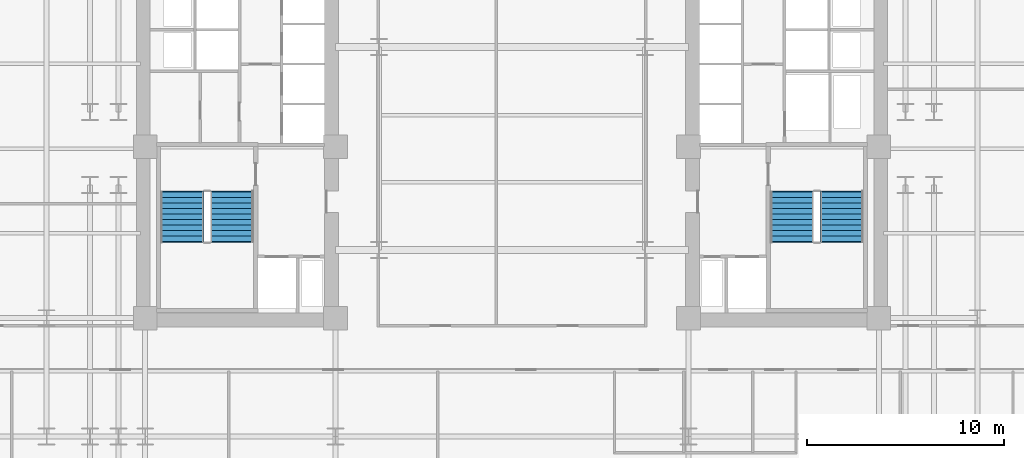
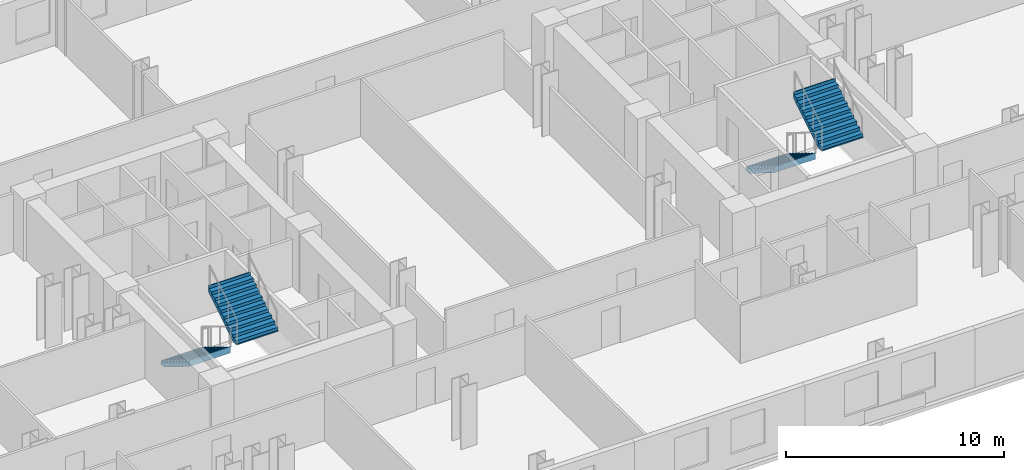
# One storey, part 8 of 10: 4 stair flights, 2 elements without a shape of their own.
"""IFC4 building model written with IfcOpenShell, lengths in metres."""

from ifc_helpers import new_model, si_unit, direction, frame, origin, place, context, subcontext, project, spatial, polyline, outline, extrude, material, layer, layer_set, type_object, element, aggregate, save


model = new_model("IFC4")

# Units and contexts
model_context = context("Model", 3, precision=1e-05, world=origin(), true_north=direction((0.0, 1.0)))
body_context = subcontext(model_context, "Body", "Model", "MODEL_VIEW")
ifc_project = project(units=[si_unit("LENGTHUNIT", "METRE"), si_unit("AREAUNIT", "SQUARE_METRE"), si_unit("VOLUMEUNIT", "CUBIC_METRE"), si_unit("PLANEANGLEUNIT", "RADIAN"), si_unit("MASSUNIT", "GRAM", prefix="KILO")], contexts=[model_context])

# Site, building, storey
site_placement = place(None, origin())
site = spatial("IfcSite", under=ifc_project, at=site_placement, CompositionType="ELEMENT")
building_placement = place(site_placement, origin())
building = spatial("IfcBuilding", under=site, at=building_placement, Name="Velakula Bourse", CompositionType="ELEMENT")
storey_placement = place(building_placement, frame((0.0, 0.0, 45.0)))
storey = spatial("IfcBuildingStorey", under=building, at=storey_placement, Name="L11", CompositionType="ELEMENT", Elevation=45.0)

# Stair, stair flights
ifc_material = material(Name="Concrete M45 (fck 45 MPa)", Category="concrete")
stair_type = type_object("IfcStairType", Name="STR-DOG-390", PredefinedType="HALF_TURN_STAIR", material=ifc_material)
stair_1_placement = place(storey_placement, origin())
stair_1 = element("IfcStair", 1, at=stair_1_placement, inside=storey, type_object=stair_type, Name="L11 West Core Exit Stair ST-W1", PredefinedType="HALF_TURN_STAIR")
ifc_layer = layer(ifc_material, 0.195068359375, Name="Concrete M45 (fck 45 MPa)", Category="concrete")
ifc_layer_set = layer_set([ifc_layer], Name="Concrete M45 (fck 45 MPa)")
stair_flight_type = type_object("IfcStairFlightType", Name="FLT-DOG-390", PredefinedType="STRAIGHT", material=ifc_layer_set)
stair_flight_1_placement = place(storey_placement, frame((-16.720947265625, -2.199951171875, 0.0), z_axis=(0.0, 0.0, 1.0), x_axis=(0.0, -1.0, 0.0)))
stair_flight_1 = element("IfcStairFlight", 2, at=stair_flight_1_placement, type_object=stair_flight_type, Name="ST-W1 flight 1", NumberOfRisers=10, NumberOfTreads=9, PredefinedType="STRAIGHT", RiserHeight=0.1725, TreadLength=0.28, context=body_context, shape_type="SweptSolid", body=[
    extrude(outline(polyline([(-0.044921875, -0.0400390625), (-0.044921875, -0.036865234375), (-0.044921875, -0.033935546875), (-0.044921875, -0.03076171875), (-0.044921875, -0.027587890625), (-0.044921875, -0.024658203125), (-0.044921875, -0.021484375), (-0.044921875, -0.0185546875), (-0.044921875, -0.015380859375), (-0.044921875, -0.01220703125), (-0.044921875, -0.00927734375), (-0.044921875, -0.006103515625), (-0.044921875, -0.003173828125), (-0.044921875, 0.0), (0.0, 0.0), (0.0, 0.172607421875), (0.280029296875, 0.172607421875), (0.280029296875, 0.344970703125), (0.56005859375, 0.344970703125), (0.56005859375, 0.517578125), (0.840087890625, 0.517578125), (0.840087890625, 0.68994140625), (1.1201171875, 0.68994140625), (1.1201171875, 0.862548828125), (1.39990234375, 0.862548828125), (1.39990234375, 1.034912109375), (1.679931640625, 1.034912109375), (1.679931640625, 1.20751953125), (1.9599609375, 1.20751953125), (1.9599609375, 1.3798828125), (2.239990234375, 1.3798828125), (2.239990234375, 1.552490234375), (2.52001953125, 1.552490234375), (2.52001953125, 1.72509765625), (2.56494140625, 1.72509765625), (2.56494140625, 1.7001953125), (2.56494140625, 1.67529296875), (2.56494140625, 1.650390625), (2.56494140625, 1.62548828125), (2.56494140625, 1.6005859375), (2.56494140625, 1.57568359375), (2.56494140625, 1.55078125), (2.56494140625, 1.52587890625), (2.56494140625, 1.5009765625), (2.56494140625, 1.47607421875), (2.56494140625, 1.451171875), (2.56494140625, 1.42626953125), (2.56494140625, 1.4013671875), (2.56494140625, 1.37646484375), (0.285888671875, -0.0400390625), (-0.044921875, -0.0400390625)])), frame((0.0, 1.09912109375, 0.0), z_axis=(0.0, -1.0, 0.0), x_axis=(1.0, 0.0, 0.0)), (0.0, 0.0, 1.0), 2.197998046875),
])
stair_flight_2_placement = place(storey_placement, frame((-14.198974609375, -4.719970703125, 1.72509765625), z_axis=(0.0, 0.0, 1.0), x_axis=(0.0, 1.0, 0.0)))
stair_flight_2 = element("IfcStairFlight", 3, at=stair_flight_2_placement, type_object=stair_flight_type, Name="ST-W1 flight 2", NumberOfRisers=10, NumberOfTreads=9, PredefinedType="STRAIGHT", RiserHeight=0.1725, TreadLength=0.28, context=body_context, shape_type="SweptSolid", body=[
    extrude(outline(polyline([(-0.044921875, -0.0400390625), (-0.044921875, -0.036865234375), (-0.044921875, -0.033935546875), (-0.044921875, -0.03076171875), (-0.044921875, -0.027587890625), (-0.044921875, -0.024658203125), (-0.044921875, -0.021484375), (-0.044921875, -0.0185546875), (-0.044921875, -0.015380859375), (-0.044921875, -0.01220703125), (-0.044921875, -0.00927734375), (-0.044921875, -0.006103515625), (-0.044921875, -0.003173828125), (-0.044921875, 0.0), (0.0, 0.0), (0.0, 0.172607421875), (0.280029296875, 0.172607421875), (0.280029296875, 0.344970703125), (0.56005859375, 0.344970703125), (0.56005859375, 0.517578125), (0.840087890625, 0.517578125), (0.840087890625, 0.68994140625), (1.1201171875, 0.68994140625), (1.1201171875, 0.862548828125), (1.39990234375, 0.862548828125), (1.39990234375, 1.034912109375), (1.679931640625, 1.034912109375), (1.679931640625, 1.20751953125), (1.9599609375, 1.20751953125), (1.9599609375, 1.3798828125), (2.239990234375, 1.3798828125), (2.239990234375, 1.552490234375), (2.52001953125, 1.552490234375), (2.52001953125, 1.72509765625), (2.56494140625, 1.72509765625), (2.56494140625, 1.7001953125), (2.56494140625, 1.67529296875), (2.56494140625, 1.650390625), (2.56494140625, 1.62548828125), (2.56494140625, 1.6005859375), (2.56494140625, 1.57568359375), (2.56494140625, 1.55078125), (2.56494140625, 1.52587890625), (2.56494140625, 1.5009765625), (2.56494140625, 1.47607421875), (2.56494140625, 1.451171875), (2.56494140625, 1.42626953125), (2.56494140625, 1.4013671875), (2.56494140625, 1.37646484375), (0.285888671875, -0.0400390625), (-0.044921875, -0.0400390625)])), frame((0.0, 1.09912109375, 0.0), z_axis=(0.0, -1.0, 0.0), x_axis=(1.0, 0.0, 0.0)), (0.0, 0.0, 1.0), 2.197998046875),
])
aggregate(stair_1, [stair_flight_1, stair_flight_2])

stair_2_placement = place(storey_placement, origin())
stair_2 = element("IfcStair", 4, at=stair_2_placement, inside=storey, type_object=stair_type, Name="L11 East Core Exit Stair ST-E1", PredefinedType="HALF_TURN_STAIR")
stair_flight_3_placement = place(storey_placement, frame((14.198974609375, -2.199951171875, 0.0), z_axis=(0.0, 0.0, 1.0), x_axis=(0.0, -1.0, 0.0)))
stair_flight_3 = element("IfcStairFlight", 5, at=stair_flight_3_placement, type_object=stair_flight_type, Name="ST-E1 flight 1", NumberOfRisers=10, NumberOfTreads=9, PredefinedType="STRAIGHT", RiserHeight=0.1725, TreadLength=0.28, context=body_context, shape_type="SweptSolid", body=[
    extrude(outline(polyline([(-0.044921875, -0.0400390625), (-0.044921875, -0.036865234375), (-0.044921875, -0.033935546875), (-0.044921875, -0.03076171875), (-0.044921875, -0.027587890625), (-0.044921875, -0.024658203125), (-0.044921875, -0.021484375), (-0.044921875, -0.0185546875), (-0.044921875, -0.015380859375), (-0.044921875, -0.01220703125), (-0.044921875, -0.00927734375), (-0.044921875, -0.006103515625), (-0.044921875, -0.003173828125), (-0.044921875, 0.0), (0.0, 0.0), (0.0, 0.172607421875), (0.280029296875, 0.172607421875), (0.280029296875, 0.344970703125), (0.56005859375, 0.344970703125), (0.56005859375, 0.517578125), (0.840087890625, 0.517578125), (0.840087890625, 0.68994140625), (1.1201171875, 0.68994140625), (1.1201171875, 0.862548828125), (1.39990234375, 0.862548828125), (1.39990234375, 1.034912109375), (1.679931640625, 1.034912109375), (1.679931640625, 1.20751953125), (1.9599609375, 1.20751953125), (1.9599609375, 1.3798828125), (2.239990234375, 1.3798828125), (2.239990234375, 1.552490234375), (2.52001953125, 1.552490234375), (2.52001953125, 1.72509765625), (2.56494140625, 1.72509765625), (2.56494140625, 1.7001953125), (2.56494140625, 1.67529296875), (2.56494140625, 1.650390625), (2.56494140625, 1.62548828125), (2.56494140625, 1.6005859375), (2.56494140625, 1.57568359375), (2.56494140625, 1.55078125), (2.56494140625, 1.52587890625), (2.56494140625, 1.5009765625), (2.56494140625, 1.47607421875), (2.56494140625, 1.451171875), (2.56494140625, 1.42626953125), (2.56494140625, 1.4013671875), (2.56494140625, 1.37646484375), (0.285888671875, -0.0400390625), (-0.044921875, -0.0400390625)])), frame((0.0, 1.09912109375, 0.0), z_axis=(0.0, -1.0, 0.0), x_axis=(1.0, 0.0, 0.0)), (0.0, 0.0, 1.0), 2.197998046875),
])
stair_flight_4_placement = place(storey_placement, frame((16.720947265625, -4.719970703125, 1.72509765625), z_axis=(0.0, 0.0, 1.0), x_axis=(0.0, 1.0, 0.0)))
stair_flight_4 = element("IfcStairFlight", 6, at=stair_flight_4_placement, type_object=stair_flight_type, Name="ST-E1 flight 2", NumberOfRisers=10, NumberOfTreads=9, PredefinedType="STRAIGHT", RiserHeight=0.1725, TreadLength=0.28, context=body_context, shape_type="SweptSolid", body=[
    extrude(outline(polyline([(-0.044921875, -0.0400390625), (-0.044921875, -0.036865234375), (-0.044921875, -0.033935546875), (-0.044921875, -0.03076171875), (-0.044921875, -0.027587890625), (-0.044921875, -0.024658203125), (-0.044921875, -0.021484375), (-0.044921875, -0.0185546875), (-0.044921875, -0.015380859375), (-0.044921875, -0.01220703125), (-0.044921875, -0.00927734375), (-0.044921875, -0.006103515625), (-0.044921875, -0.003173828125), (-0.044921875, 0.0), (0.0, 0.0), (0.0, 0.172607421875), (0.280029296875, 0.172607421875), (0.280029296875, 0.344970703125), (0.56005859375, 0.344970703125), (0.56005859375, 0.517578125), (0.840087890625, 0.517578125), (0.840087890625, 0.68994140625), (1.1201171875, 0.68994140625), (1.1201171875, 0.862548828125), (1.39990234375, 0.862548828125), (1.39990234375, 1.034912109375), (1.679931640625, 1.034912109375), (1.679931640625, 1.20751953125), (1.9599609375, 1.20751953125), (1.9599609375, 1.3798828125), (2.239990234375, 1.3798828125), (2.239990234375, 1.552490234375), (2.52001953125, 1.552490234375), (2.52001953125, 1.72509765625), (2.56494140625, 1.72509765625), (2.56494140625, 1.7001953125), (2.56494140625, 1.67529296875), (2.56494140625, 1.650390625), (2.56494140625, 1.62548828125), (2.56494140625, 1.6005859375), (2.56494140625, 1.57568359375), (2.56494140625, 1.55078125), (2.56494140625, 1.52587890625), (2.56494140625, 1.5009765625), (2.56494140625, 1.47607421875), (2.56494140625, 1.451171875), (2.56494140625, 1.42626953125), (2.56494140625, 1.4013671875), (2.56494140625, 1.37646484375), (0.285888671875, -0.0400390625), (-0.044921875, -0.0400390625)])), frame((0.0, 1.09912109375, 0.0), z_axis=(0.0, -1.0, 0.0), x_axis=(1.0, 0.0, 0.0)), (0.0, 0.0, 1.0), 2.197998046875),
])
aggregate(stair_2, [stair_flight_3, stair_flight_4])

save(model, "model.ifc")
